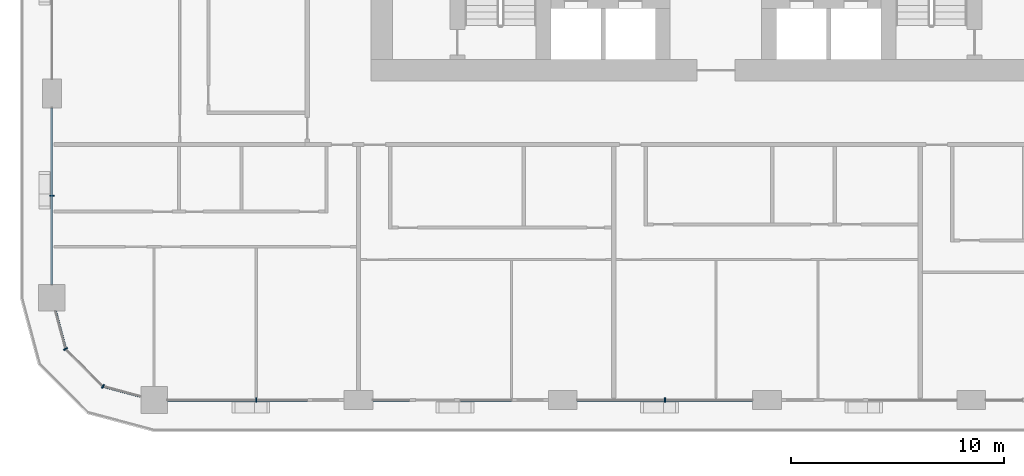
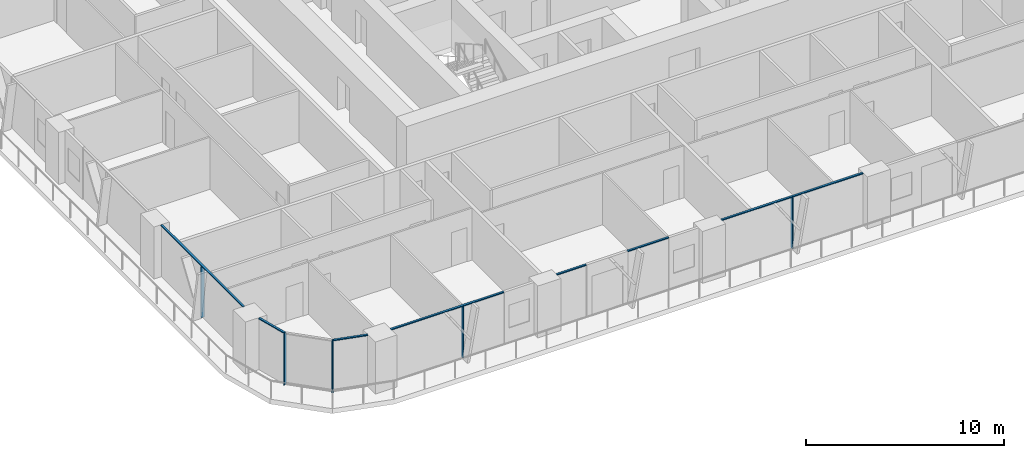
# One storey, part 2 of 21: 12 members, 5 elements without a shape of their own.
"""IFC4 building model written with IfcOpenShell, lengths in metres."""

from ifc_helpers import new_model, si_unit, direction, frame, origin, origin_2d, place, context, subcontext, project, spatial, rectangle, extrude, material, layer, layer_set, material_profile, profile_set, type_object, element, aggregate, save


model = new_model("IFC4")

# Units and contexts
model_context = context("Model", 3, precision=1e-05, world=origin(), true_north=direction((0.0, 1.0)))
body_context = subcontext(model_context, "Body", "Model", "MODEL_VIEW")
ifc_project = project(units=[si_unit("LENGTHUNIT", "METRE"), si_unit("AREAUNIT", "SQUARE_METRE"), si_unit("VOLUMEUNIT", "CUBIC_METRE"), si_unit("PLANEANGLEUNIT", "RADIAN"), si_unit("MASSUNIT", "GRAM", prefix="KILO")], contexts=[model_context])

# Site, building, storey
site_placement = place(None, origin())
site = spatial("IfcSite", under=ifc_project, at=site_placement, CompositionType="ELEMENT")
building_placement = place(site_placement, origin())
building = spatial("IfcBuilding", under=site, at=building_placement, Name="Madar Terraces", CompositionType="ELEMENT")
storey_placement = place(building_placement, frame((0.0, 0.0, 29.39990234375)))
storey = spatial("IfcBuildingStorey", under=building, at=storey_placement, Name="L06", CompositionType="ELEMENT", Elevation=29.39990234375)

# Curtain wall, member
ifc_material_1 = material(Name="Glass, ceramic frit dark grey, with black aluminium frame", Category="aluminium")
ifc_layer = layer(ifc_material_1, 0.199951171875)
ifc_layer_set = layer_set([ifc_layer], Name="Facade curtain wall, fritted glass")
curtain_wall_type = type_object("IfcCurtainWallType", Name="Facade curtain wall, fritted glass", PredefinedType="NOTDEFINED", material=ifc_layer_set)
curtain_wall_1_placement = place(storey_placement, origin())
curtain_wall_1 = element("IfcCurtainWall", 1, at=curtain_wall_1_placement, inside=storey, type_object=curtain_wall_type, Name="Outer skin curtain wall south bay 1", PredefinedType="NOTDEFINED")
ifc_material_2 = material(Name="Aluminium, black anodised", Category="aluminium")
ifc_material_profile_1 = material_profile(ifc_material_2, rectangle(XDim=0.199951171875, YDim=0.06005859375, at=origin_2d()), Name="Facade mullion 60x200")
ifc_profile_set_1 = profile_set([ifc_material_profile_1], Name="Aluminium, black anodised")
member_type_1 = type_object("IfcMemberType", Name="Facade mullion 60x200", PredefinedType="MULLION", material=ifc_profile_set_1)
member_1_placement = place(storey_placement, frame((9.60009765625, 0.0, 0.0), z_axis=(0.0, 0.0, 1.0), x_axis=(0.0, 1.0, 0.0)))
member_1 = element("IfcMember", 2, at=member_1_placement, type_object=member_type_1, Name="Mullion 1", PredefinedType="MULLION", context=body_context, shape_type="SweptSolid", body=[
    extrude(rectangle(XDim=0.199951171875, YDim=0.06005859375, at=origin_2d()), origin(), (0.0, 0.0, 1.0), 3.14013671875),
])

curtain_wall_2_placement = place(storey_placement, origin())
curtain_wall_2 = element("IfcCurtainWall", 3, at=curtain_wall_2_placement, inside=storey, type_object=curtain_wall_type, Name="Outer skin curtain wall south bay 3", PredefinedType="NOTDEFINED")
member_2_placement = place(storey_placement, frame((28.800048828125, 0.0, 0.0), z_axis=(0.0, 0.0, 1.0), x_axis=(0.0, 1.0, 0.0)))
member_2 = element("IfcMember", 4, at=member_2_placement, type_object=member_type_1, Name="Mullion 1", PredefinedType="MULLION", context=body_context, shape_type="SweptSolid", body=[
    extrude(rectangle(XDim=0.199951171875, YDim=0.06005859375, at=origin_2d()), origin(), (0.0, 0.0, 1.0), 3.14013671875),
])

curtain_wall_3_placement = place(storey_placement, origin())
curtain_wall_3 = element("IfcCurtainWall", 5, at=curtain_wall_3_placement, inside=storey, type_object=curtain_wall_type, Name="Outer skin curtain wall west bay 4", PredefinedType="NOTDEFINED")
member_3_placement = place(storey_placement, frame((0.0, 9.60009765625, 0.0), z_axis=(0.0, 0.0, 1.0), x_axis=(1.0, 0.0, 0.0)))
member_3 = element("IfcMember", 6, at=member_3_placement, type_object=member_type_1, Name="Mullion 1", PredefinedType="MULLION", context=body_context, shape_type="SweptSolid", body=[
    extrude(rectangle(XDim=0.199951171875, YDim=0.06005859375, at=origin_2d()), origin(), (0.0, 0.0, 1.0), 3.14013671875),
])

# Curtain wall, members
curtain_wall_4_placement = place(storey_placement, origin())
curtain_wall_4 = element("IfcCurtainWall", 7, at=curtain_wall_4_placement, inside=storey, type_object=curtain_wall_type, Name="Outer skin curtain wall south-west corner", PredefinedType="NOTDEFINED")
member_4_placement = place(storey_placement, frame((0.64306640625, 2.39990234375, 0.0), z_axis=(0.0, 0.0, 1.0), x_axis=(0.866025409797, 0.499999989586, 0.0)))
member_4 = element("IfcMember", 8, at=member_4_placement, type_object=member_type_1, Name="Mullion 1", PredefinedType="MULLION", context=body_context, shape_type="SweptSolid", body=[
    extrude(rectangle(XDim=0.199951171875, YDim=0.06005859375, at=origin_2d()), origin(), (0.0, 0.0, 1.0), 3.14013671875),
])
member_5_placement = place(storey_placement, frame((2.39990234375, 0.64306640625, 0.0), z_axis=(0.0, 0.0, 1.0), x_axis=(0.499999989586, 0.866025409797, 0.0)))
member_5 = element("IfcMember", 9, at=member_5_placement, type_object=member_type_1, Name="Mullion 2", PredefinedType="MULLION", context=body_context, shape_type="SweptSolid", body=[
    extrude(rectangle(XDim=0.199951171875, YDim=0.06005859375, at=origin_2d()), origin(), (0.0, 0.0, 1.0), 3.14013671875),
])

# Member
ifc_material_3 = material(Name="Aluminium, black anodised", Category="aluminium")
ifc_material_profile_2 = material_profile(ifc_material_3, rectangle(XDim=0.1201171875, YDim=0.06005859375, at=origin_2d()), Name="Facade transom 60x120")
ifc_profile_set_2 = profile_set([ifc_material_profile_2], Name="Aluminium, black anodised")
member_type_2 = type_object("IfcMemberType", Name="Facade transom 60x120", PredefinedType="USERDEFINED", material=ifc_profile_set_2)
member_6_placement = place(storey_placement, frame((5.425048828125, 0.0, 3.170166015625), z_axis=(1.0, 0.0, 0.0), x_axis=(0.0, 1.0, 0.0)))
member_6 = element("IfcMember", 10, at=member_6_placement, type_object=member_type_2, Name="Transom 1", ObjectType="TRANSOM", PredefinedType="USERDEFINED", context=body_context, shape_type="SweptSolid", body=[
    extrude(rectangle(XDim=0.1201171875, YDim=0.06005859375, at=origin_2d()), origin(), (0.0, 0.0, 1.0), 6.574951171875),
])

aggregate(curtain_wall_1, [member_1, member_6])

# Curtain wall, members
curtain_wall_5_placement = place(storey_placement, origin())
curtain_wall_5 = element("IfcCurtainWall", 11, at=curtain_wall_5_placement, inside=storey, type_object=curtain_wall_type, Name="Outer skin curtain wall south bay 2", PredefinedType="NOTDEFINED")
member_7_placement = place(storey_placement, frame((15.074951171875, 0.0, 3.170166015625), z_axis=(1.0, 0.0, 0.0), x_axis=(0.0, 1.0, 0.0)))
member_7 = element("IfcMember", 12, at=member_7_placement, type_object=member_type_2, Name="Transom 1", ObjectType="TRANSOM", PredefinedType="USERDEFINED", context=body_context, shape_type="SweptSolid", body=[
    extrude(rectangle(XDim=0.1201171875, YDim=0.06005859375, at=origin_2d()), origin(), (0.0, 0.0, 1.0), 1.72509765625),
])
member_8_placement = place(storey_placement, frame((19.199951171875, 0.0, 3.170166015625), z_axis=(1.0, 0.0, 0.0), x_axis=(0.0, 1.0, 0.0)))
member_8 = element("IfcMember", 13, at=member_8_placement, type_object=member_type_2, Name="Transom 2", ObjectType="TRANSOM", PredefinedType="USERDEFINED", context=body_context, shape_type="SweptSolid", body=[
    extrude(rectangle(XDim=0.1201171875, YDim=0.06005859375, at=origin_2d()), origin(), (0.0, 0.0, 1.0), 2.400146484375),
])
aggregate(curtain_wall_5, [member_7, member_8])

# Member
member_9_placement = place(storey_placement, frame((24.675048828125, 0.0, 3.170166015625), z_axis=(1.0, 0.0, 0.0), x_axis=(0.0, 1.0, 0.0)))
member_9 = element("IfcMember", 14, at=member_9_placement, type_object=member_type_2, Name="Transom 1", ObjectType="TRANSOM", PredefinedType="USERDEFINED", context=body_context, shape_type="SweptSolid", body=[
    extrude(rectangle(XDim=0.1201171875, YDim=0.06005859375, at=origin_2d()), origin(), (0.0, 0.0, 1.0), 8.25),
])

aggregate(curtain_wall_2, [member_2, member_9])

member_10_placement = place(storey_placement, frame((0.0, 13.72509765625, 3.170166015625), z_axis=(0.0, -1.0, 0.0), x_axis=(1.0, 0.0, 0.0)))
member_10 = element("IfcMember", 15, at=member_10_placement, type_object=member_type_2, Name="Transom 1", ObjectType="TRANSOM", PredefinedType="USERDEFINED", context=body_context, shape_type="SweptSolid", body=[
    extrude(rectangle(XDim=0.1201171875, YDim=0.06005859375, at=origin_2d()), origin(), (0.0, 0.0, 1.0), 8.300048828125),
])

aggregate(curtain_wall_3, [member_3, member_10])

member_11_placement = place(storey_placement, frame((0.16748046875, 4.175048828125, 3.170166015625), z_axis=(0.258772089929, -0.965938406667, 0.0), x_axis=(0.965938406667, 0.258772089929, 0.0)))
member_11 = element("IfcMember", 16, at=member_11_placement, type_object=member_type_2, Name="Transom 1", ObjectType="TRANSOM", PredefinedType="USERDEFINED", context=body_context, shape_type="SweptSolid", body=[
    extrude(rectangle(XDim=0.1201171875, YDim=0.06005859375, at=origin_2d()), origin(), (0.0, 0.0, 1.0), 1.8076171875),
])

member_12_placement = place(storey_placement, frame((2.428955078125, 0.63525390625, 3.170166015625), z_axis=(0.965938406667, -0.258772089929, 0.0), x_axis=(0.258772089929, 0.965938406667, 0.0)))
member_12 = element("IfcMember", 17, at=member_12_placement, type_object=member_type_2, Name="Transom 3", ObjectType="TRANSOM", PredefinedType="USERDEFINED", context=body_context, shape_type="SweptSolid", body=[
    extrude(rectangle(XDim=0.1201171875, YDim=0.06005859375, at=origin_2d()), origin(), (0.0, 0.0, 1.0), 1.8076171875),
])

aggregate(curtain_wall_4, [member_4, member_11, member_5, member_12])

save(model, "model.ifc")
